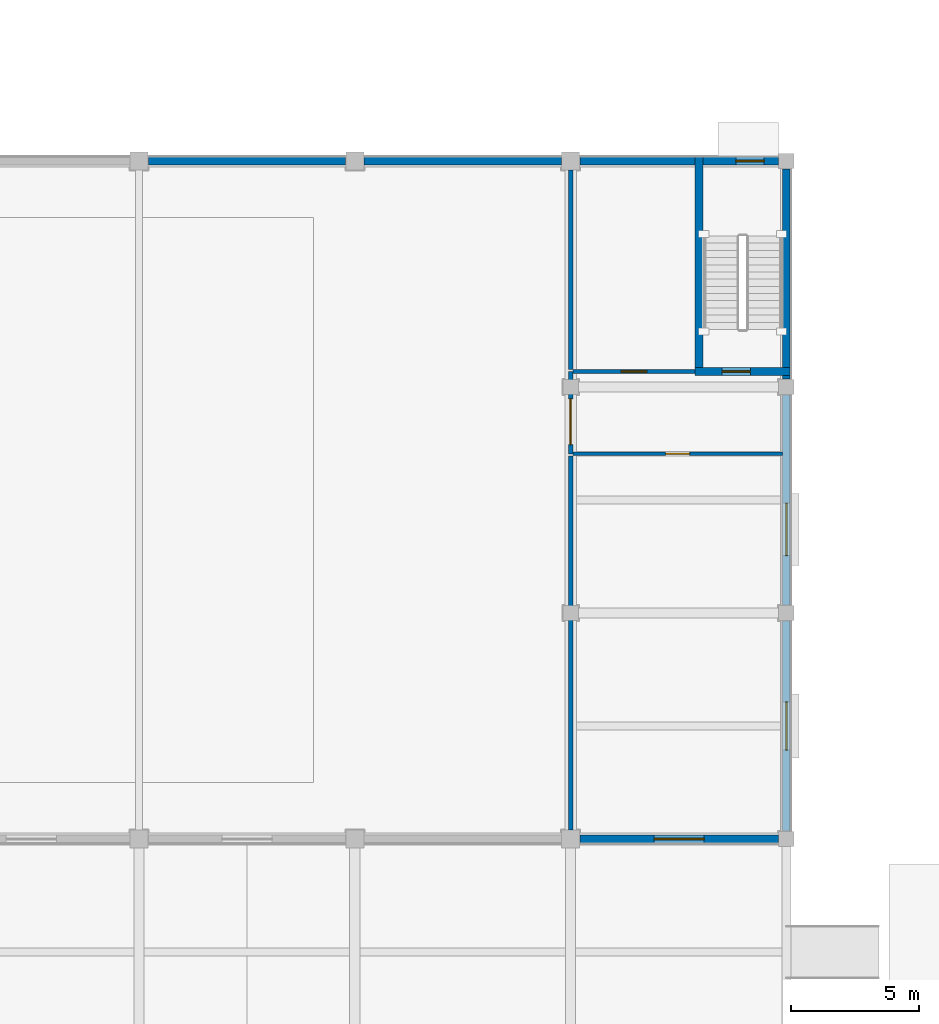
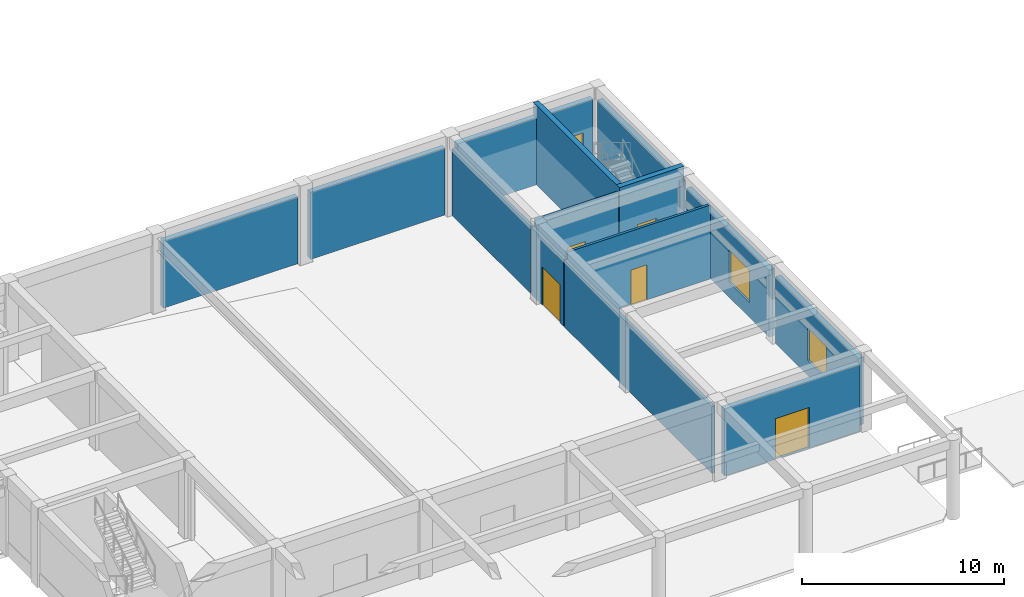
# One storey, part 34 of 58: 14 walls, 6 doors, 2 windows, 8 openings.
"""IFC4 building model written with IfcOpenShell, lengths in metres."""

from ifc_helpers import new_model, si_unit, direction, frame, frame_2d, origin, place, context, subcontext, project, spatial, rectangle, extrude, material, layer, layer_set, type_object, element, fill, save


model = new_model("IFC4")

# Units and contexts
model_context = context("Model", 3, precision=1e-05, world=origin(), true_north=direction((0.0, 1.0)))
body_context = subcontext(model_context, "Body", "Model", "MODEL_VIEW")
ifc_project = project(units=[si_unit("LENGTHUNIT", "METRE"), si_unit("AREAUNIT", "SQUARE_METRE"), si_unit("VOLUMEUNIT", "CUBIC_METRE"), si_unit("PLANEANGLEUNIT", "RADIAN"), si_unit("MASSUNIT", "GRAM", prefix="KILO")], contexts=[model_context])

# Site, building, storey
site_placement = place(None, origin())
site = spatial("IfcSite", under=ifc_project, at=site_placement, CompositionType="ELEMENT")
building_placement = place(site_placement, origin())
building = spatial("IfcBuilding", under=site, at=building_placement, Name="Kemercrest Conservatory and Botanical Centre", CompositionType="ELEMENT")
storey_placement = place(building_placement, origin())
storey = spatial("IfcBuildingStorey", under=building, at=storey_placement, Name="L00", CompositionType="ELEMENT", Elevation=0.0)

# Wall
ifc_material_1 = material(Name="Precast concrete C40/50", Category="concrete")
ifc_layer_1 = layer(ifc_material_1, 0.300048828125)
ifc_layer_set_1 = layer_set([ifc_layer_1], Name="Precast concrete C40/50")
wall_type_1 = type_object("IfcWallType", Name="CW-EXT300", PredefinedType="SHEAR", material=ifc_layer_set_1)
wall_1_placement = place(storey_placement, frame((100.39990234375, 34.7099609375, 0.0), z_axis=(0.0, 0.0, 1.0), x_axis=(0.0, 1.0, 0.0)))
element("IfcWall", 1, at=wall_1_placement, inside=storey, type_object=wall_type_1, Name="Exterior stair-core shear wall CW-EXT300 (WAL:L00:EXT-028)", PredefinedType="SHEAR", context=body_context, shape_type="SweptSolid", body=[
    extrude(rectangle(XDim=8.179931640625, YDim=0.300048828125, at=frame_2d((4.08984375, 0.0))), origin(), (0.0, 0.0, 1.0), 4.050048828125),
])

# Wall, opening, door
wall_2_placement = place(storey_placement, frame((100.090087890625, 43.199951171875, 0.0), z_axis=(0.0, 0.0, 1.0), x_axis=(-1.0, 0.0, 0.0)))
wall_2 = element("IfcWall", 2, at=wall_2_placement, inside=storey, type_object=wall_type_1, Name="Exterior stair-core shear wall CW-EXT300 (WAL:L00:EXT-029)", PredefinedType="SHEAR", context=body_context, shape_type="SweptSolid", body=[
    extrude(rectangle(XDim=7.72998046875, YDim=0.300048828125, at=frame_2d((3.864990234375, 0.0))), origin(), (0.0, 0.0, 1.0), 4.050048828125),
])
opening_1_placement = place(wall_2_placement, frame((0.550048828125, 0.0, 0.0)))
opening_1 = element("IfcOpeningElement", 3, at=opening_1_placement, cuts=wall_2, Name="Opening ED017", PredefinedType="OPENING", context=body_context, shape_type="SweptSolid", body=[
    extrude(rectangle(XDim=1.10009765625, YDim=2.199951171875, at=frame_2d((0.550048828125, 1.10009765625))), frame((0.0, 0.16015625, 0.0), z_axis=(0.0, -1.0, 0.0), x_axis=(1.0, 0.0, 0.0)), (0.0, 0.0, 1.0), 0.320068359375),
])
ifc_material_2 = material(Name="Thermally broken bronze-anodized aluminium and laminated safety glass", Category="aluminium")
door_type_1 = type_object("IfcDoorType", Name="DT-E03", OperationType="NOTDEFINED", PredefinedType="DOOR", material=ifc_material_2)
door_1_placement = place(opening_1_placement, frame((1.10009765625, 0.0, 0.0), z_axis=(0.0, 0.0, 1.0), x_axis=(-1.0, 0.0, 0.0)))
door_1 = element("IfcDoor", 4, at=door_1_placement, inside=storey, type_object=door_type_1, Name="Exit Stair ST-V2B Exterior Discharge Door", OperationType="SINGLE_SWING_RIGHT", OverallHeight=2.199951171875, OverallWidth=1.10009765625, PredefinedType="DOOR", context=body_context, shape_type="SweptSolid", body=[
    extrude(rectangle(XDim=1.10009765625, YDim=2.199951171875, at=frame_2d((0.550048828125, 1.10009765625))), frame((0.0, 0.02490234375, 0.0), z_axis=(0.0, -1.0, 0.0), x_axis=(1.0, 0.0, 0.0)), (0.0, 0.0, 1.0), 0.050048828125),
])
fill(opening_1, door_1)

ifc_material_3 = material(Name="Concrete C50/60", Category="concrete")
ifc_layer_2 = layer(ifc_material_3, 0.300048828125)
ifc_layer_set_2 = layer_set([ifc_layer_2], Name="Concrete C50/60")
wall_type_2 = type_object("IfcWallType", Name="CW-STAIR", PredefinedType="SHEAR", material=ifc_layer_set_2)
wall_3_placement = place(storey_placement, frame((96.85009765625, 35.0, 0.0), z_axis=(0.0, 0.0, 1.0), x_axis=(1.0, 0.0, 0.0)))
wall_3 = element("IfcWall", 5, at=wall_3_placement, inside=storey, type_object=wall_type_2, Name="Stair core ST-V2B shear wall S", PredefinedType="SHEAR", context=body_context, shape_type="SweptSolid", body=[
    extrude(rectangle(XDim=3.699951171875, YDim=0.300048828125, at=frame_2d((1.85009765625, 0.0))), origin(), (0.0, 0.0, 1.0), 4.800048828125),
])
opening_2_placement = place(wall_3_placement, frame((1.050048828125, 0.0, 0.0)))
opening_2 = element("IfcOpeningElement", 6, at=opening_2_placement, cuts=wall_3, Name="Opening D012", PredefinedType="OPENING", context=body_context, shape_type="SweptSolid", body=[
    extrude(rectangle(XDim=1.10009765625, YDim=2.199951171875, at=frame_2d((0.550048828125, 1.10009765625))), frame((0.0, 0.16015625, 0.0), z_axis=(0.0, -1.0, 0.0), x_axis=(1.0, 0.0, 0.0)), (0.0, 0.0, 1.0), 0.320068359375),
])
ifc_material_4 = material(Name="Powder-coated galvanized steel and fire-rated vision glass", Category="steel")
door_type_2 = type_object("IfcDoorType", Name="DT-FD90", OperationType="NOTDEFINED", PredefinedType="DOOR", material=ifc_material_4)
door_2_placement = place(opening_2_placement, origin())
door_2 = element("IfcDoor", 7, at=door_2_placement, inside=storey, type_object=door_type_2, Name="Exit stair ST-V2B fire door D012", OperationType="SINGLE_SWING_RIGHT", OverallHeight=2.199951171875, OverallWidth=1.10009765625, PredefinedType="DOOR", context=body_context, shape_type="SweptSolid", body=[
    extrude(rectangle(XDim=1.10009765625, YDim=2.199951171875, at=frame_2d((0.550048828125, 1.10009765625))), frame((0.0, 0.02490234375, 0.0), z_axis=(0.0, -1.0, 0.0), x_axis=(1.0, 0.0, 0.0)), (0.0, 0.0, 1.0), 0.050048828125),
])
fill(opening_2, door_2)

# Wall
wall_4_placement = place(storey_placement, frame((97.0, 34.85009765625, 0.0), z_axis=(0.0, 0.0, 1.0), x_axis=(0.0, 1.0, 0.0)))
element("IfcWall", 8, at=wall_4_placement, inside=storey, type_object=wall_type_2, Name="Stair core ST-V2B shear wall W", PredefinedType="SHEAR", context=body_context, shape_type="SweptSolid", body=[
    extrude(rectangle(XDim=8.5, YDim=0.300048828125, at=frame_2d((4.25, 0.0))), origin(), (0.0, 0.0, 1.0), 4.800048828125),
])

# Wall, opening, door
ifc_layer_3 = layer(ifc_material_1, 0.300048828125)
ifc_layer_set_3 = layer_set([ifc_layer_3], Name="Precast concrete C40/50")
wall_type_3 = type_object("IfcWallType", Name="W-EXT300", PredefinedType="SOLIDWALL", material=ifc_layer_set_3)
wall_5_placement = place(storey_placement, frame((92.360107421875, 16.800048828125, 0.0), z_axis=(0.0, 0.0, 1.0), x_axis=(1.0, 0.0, 0.0)))
wall_5 = element("IfcWall", 9, at=wall_5_placement, inside=storey, type_object=wall_type_3, Name="Exterior almasik wall W-EXT300 (WAL:L00:EXT-025)", PredefinedType="SOLIDWALL", context=body_context, shape_type="SweptSolid", body=[
    extrude(rectangle(XDim=7.72998046875, YDim=0.300048828125, at=frame_2d((3.864990234375, 0.0))), origin(), (0.0, 0.0, 1.0), 4.050048828125),
])
opening_3_placement = place(wall_5_placement, frame((2.889892578125, 0.0, 0.0)))
opening_3 = element("IfcOpeningElement", 10, at=opening_3_placement, cuts=wall_5, Name="Opening ED016", PredefinedType="OPENING", context=body_context, shape_type="SweptSolid", body=[
    extrude(rectangle(XDim=1.949951171875, YDim=2.449951171875, at=frame_2d((0.97509765625, 1.22509765625))), frame((0.0, 0.16015625, 0.0), z_axis=(0.0, -1.0, 0.0), x_axis=(1.0, 0.0, 0.0)), (0.0, 0.0, 1.0), 0.320068359375),
])
door_type_3 = type_object("IfcDoorType", Name="DT-E11", OperationType="DOUBLE_DOOR_SINGLE_SWING", PredefinedType="DOOR", material=ifc_material_2)
door_3_placement = place(opening_3_placement, frame((1.949951171875, 0.0, 0.0), z_axis=(0.0, 0.0, 1.0), x_axis=(-1.0, 0.0, 0.0)))
door_3 = element("IfcDoor", 11, at=door_3_placement, inside=storey, type_object=door_type_3, Name="Auditorium Harbour Foyer Main Entrance Door", OperationType="DOUBLE_DOOR_SINGLE_SWING", OverallHeight=2.449951171875, OverallWidth=1.949951171875, PredefinedType="DOOR", context=body_context, shape_type="SweptSolid", body=[
    extrude(rectangle(XDim=1.949951171875, YDim=2.449951171875, at=frame_2d((0.97509765625, 1.22509765625))), frame((0.0, 0.02490234375, 0.0), z_axis=(0.0, -1.0, 0.0), x_axis=(1.0, 0.0, 0.0)), (0.0, 0.0, 1.0), 0.050048828125),
])
fill(opening_3, door_3)

# Wall, opening, window
wall_6_placement = place(storey_placement, frame((100.39990234375, 17.110107421875, 0.0), z_axis=(0.0, 0.0, 1.0), x_axis=(0.0, 1.0, 0.0)))
wall_6 = element("IfcWall", 12, at=wall_6_placement, inside=storey, type_object=wall_type_3, Name="Exterior almasik wall W-EXT300 (WAL:L00:EXT-026)", PredefinedType="SOLIDWALL", context=body_context, shape_type="SweptSolid", body=[
    extrude(rectangle(XDim=8.179931640625, YDim=0.300048828125, at=frame_2d((4.08984375, 0.0))), origin(), (0.0, 0.0, 1.0), 4.050048828125),
])
opening_4_placement = place(wall_6_placement, frame((3.14990234375, 0.0, 0.89990234375)))
opening_4 = element("IfcOpeningElement", 13, at=opening_4_placement, cuts=wall_6, Name="Opening WT-33", PredefinedType="OPENING", context=body_context, shape_type="SweptSolid", body=[
    extrude(rectangle(XDim=1.8798828125, YDim=1.9599609375, at=frame_2d((0.93994140625, 0.97998046875))), frame((0.0, 0.16015625, 0.0), z_axis=(0.0, -1.0, 0.0), x_axis=(1.0, 0.0, 0.0)), (0.0, 0.0, 1.0), 0.320068359375),
])
ifc_material_5 = material(Name="Thermally broken bronze-anodized aluminium and triple glazing", Category="aluminium")
window_type_1 = type_object("IfcWindowType", Name="WT-33", PartitioningType="SINGLE_PANEL", PredefinedType="WINDOW", material=ifc_material_5)
window_1_placement = place(opening_4_placement, origin())
window_1 = element("IfcWindow", 14, at=window_1_placement, inside=storey, type_object=window_type_1, Name="Exterior window WT-33 (WIN:L00:EXT-026)", OverallHeight=1.9599609375, OverallWidth=1.8798828125, PartitioningType="SINGLE_PANEL", PredefinedType="WINDOW", context=body_context, shape_type="SweptSolid", body=[
    extrude(rectangle(XDim=1.8798828125, YDim=1.9599609375, at=frame_2d((0.93994140625, 0.97998046875))), frame((0.0, 0.030029296875, 0.0), z_axis=(0.0, -1.0, 0.0), x_axis=(1.0, 0.0, 0.0)), (0.0, 0.0, 1.0), 0.06005859375),
])
fill(opening_4, window_1)

wall_7_placement = place(storey_placement, frame((100.39990234375, 25.909912109375, 0.0), z_axis=(0.0, 0.0, 1.0), x_axis=(0.0, 1.0, 0.0)))
wall_7 = element("IfcWall", 15, at=wall_7_placement, inside=storey, type_object=wall_type_3, Name="Exterior almasik wall W-EXT300 (WAL:L00:EXT-027)", PredefinedType="SOLIDWALL", context=body_context, shape_type="SweptSolid", body=[
    extrude(rectangle(XDim=8.18017578125, YDim=0.300048828125, at=frame_2d((4.090087890625, 0.0))), origin(), (0.0, 0.0, 1.0), 4.050048828125),
])
opening_5_placement = place(wall_7_placement, frame((1.925048828125, 0.0, 0.89990234375)))
opening_5 = element("IfcOpeningElement", 16, at=opening_5_placement, cuts=wall_7, Name="Opening WT-34", PredefinedType="OPENING", context=body_context, shape_type="SweptSolid", body=[
    extrude(rectangle(XDim=2.0400390625, YDim=1.97998046875, at=frame_2d((1.02001953125, 0.989990234375))), frame((0.0, 0.16015625, 0.0), z_axis=(0.0, -1.0, 0.0), x_axis=(1.0, 0.0, 0.0)), (0.0, 0.0, 1.0), 0.320068359375),
])
window_type_2 = type_object("IfcWindowType", Name="WT-34", PartitioningType="SINGLE_PANEL", PredefinedType="WINDOW", material=ifc_material_5)
window_2_placement = place(opening_5_placement, origin())
window_2 = element("IfcWindow", 17, at=window_2_placement, inside=storey, type_object=window_type_2, Name="Exterior window WT-34 (WIN:L00:EXT-027)", OverallHeight=1.97998046875, OverallWidth=2.0400390625, PartitioningType="SINGLE_PANEL", PredefinedType="WINDOW", context=body_context, shape_type="SweptSolid", body=[
    extrude(rectangle(XDim=2.0400390625, YDim=1.97998046875, at=frame_2d((1.02001953125, 0.989990234375))), frame((0.0, 0.030029296875, 0.0), z_axis=(0.0, -1.0, 0.0), x_axis=(1.0, 0.0, 0.0)), (0.0, 0.0, 1.0), 0.06005859375),
])
fill(opening_5, window_2)

# Walls
for number, where, z_axis, x_axis, name in (
    (18, (91.639892578125, 43.199951171875, 0.0), (0.0, 0.0, 1.0), (-1.0, 0.0, 0.0), "Exterior almasik wall W-EXT300 (WAL:L00:EXT-030)"),
    (19, (83.239990234375, 43.199951171875, 0.0), (0.0, 0.0, 1.0), (-1.0, 0.0, 0.0), "Exterior almasik wall W-EXT300 (WAL:L00:EXT-031)"),
):
    element("IfcWall", number, at=place(storey_placement, frame(where, z_axis=z_axis, x_axis=x_axis)), inside=storey, type_object=wall_type_3, Name=name, PredefinedType="SOLIDWALL", context=body_context, shape_type="SweptSolid", body=[
        extrude(rectangle(XDim=7.679931640625, YDim=0.300048828125, at=frame_2d((3.83984375, 0.0))), origin(), (0.0, 0.0, 1.0), 4.050048828125),
    ])

# Wall, opening, door
ifc_material_6 = material(Name="Steel-stud gypsum board partition", Category="steel")
ifc_layer_4 = layer(ifc_material_6, 0.14990234375)
ifc_layer_set_4 = layer_set([ifc_layer_4], Name="Steel-stud gypsum board partition")
wall_type_4 = type_object("IfcWallType", Name="W-PART150", PredefinedType="PARTITIONING", material=ifc_layer_set_4)
wall_8_placement = place(storey_placement, frame((92.094970703125, 31.800048828125, 0.0), z_axis=(0.0, 0.0, 1.0), x_axis=(1.0, 0.0, 0.0)))
wall_8 = element("IfcWall", 20, at=wall_8_placement, inside=storey, type_object=wall_type_4, Name="Interior partition W-PART150 #24", PredefinedType="PARTITIONING", context=body_context, shape_type="SweptSolid", body=[
    extrude(rectangle(XDim=8.150146484375, YDim=0.14990234375, at=frame_2d((4.0751953125, 0.0))), origin(), (0.0, 0.0, 1.0), 4.465087890625),
])
opening_6_placement = place(wall_8_placement, frame((3.60498046875, 0.0, 0.0)))
opening_6 = element("IfcOpeningElement", 21, at=opening_6_placement, cuts=wall_8, Name="Opening D120", PredefinedType="OPENING", context=body_context, shape_type="SweptSolid", body=[
    extrude(rectangle(XDim=0.93994140625, YDim=2.1201171875, at=frame_2d((0.469970703125, 1.06005859375))), frame((0.0, 0.0849609375, 0.0), z_axis=(0.0, -1.0, 0.0), x_axis=(1.0, 0.0, 0.0)), (0.0, 0.0, 1.0), 0.169921875),
])
ifc_material_7 = material(Name="FSC solid-core white oak veneer and anodized aluminium frame", Category="aluminium")
door_type_4 = type_object("IfcDoorType", Name="DT-33", OperationType="NOTDEFINED", PredefinedType="DOOR", material=ifc_material_7)
door_4_placement = place(opening_6_placement, origin())
door_4 = element("IfcDoor", 22, at=door_4_placement, inside=storey, type_object=door_type_4, Name="Speakers Green Room door D120", OperationType="SINGLE_SWING_RIGHT", OverallHeight=2.1201171875, OverallWidth=0.93994140625, PredefinedType="DOOR", context=body_context, shape_type="SweptSolid", body=[
    extrude(rectangle(XDim=0.93994140625, YDim=2.1201171875, at=frame_2d((0.469970703125, 1.06005859375))), frame((0.0, 0.02490234375, 0.0), z_axis=(0.0, -1.0, 0.0), x_axis=(1.0, 0.0, 0.0)), (0.0, 0.0, 1.0), 0.050048828125),
])
fill(opening_6, door_4)

wall_9_placement = place(storey_placement, frame((92.094970703125, 35.0, 0.0), z_axis=(0.0, 0.0, 1.0), x_axis=(1.0, 0.0, 0.0)))
wall_9 = element("IfcWall", 23, at=wall_9_placement, inside=storey, type_object=wall_type_4, Name="Interior partition W-PART150 #25", PredefinedType="PARTITIONING", context=body_context, shape_type="SweptSolid", body=[
    extrude(rectangle(XDim=4.75, YDim=0.14990234375, at=frame_2d((2.375, 0.0))), origin(), (0.0, 0.0, 1.0), 4.465087890625),
])
opening_7_placement = place(wall_9_placement, frame((1.875, 0.0, 0.0)))
opening_7 = element("IfcOpeningElement", 24, at=opening_7_placement, cuts=wall_9, Name="Opening D121", PredefinedType="OPENING", context=body_context, shape_type="SweptSolid", body=[
    extrude(rectangle(XDim=1.0, YDim=2.159912109375, at=frame_2d((0.5, 1.080078125))), frame((0.0, 0.0849609375, 0.0), z_axis=(0.0, -1.0, 0.0), x_axis=(1.0, 0.0, 0.0)), (0.0, 0.0, 1.0), 0.169921875),
])
door_type_5 = type_object("IfcDoorType", Name="DT-34", OperationType="NOTDEFINED", PredefinedType="DOOR", material=ifc_material_7)
door_5_placement = place(opening_7_placement, origin())
door_5 = element("IfcDoor", 25, at=door_5_placement, inside=storey, type_object=door_type_5, Name="Backstage Technical Studio door D121", OperationType="SINGLE_SWING_LEFT", OverallHeight=2.159912109375, OverallWidth=1.0, PredefinedType="DOOR", context=body_context, shape_type="SweptSolid", body=[
    extrude(rectangle(XDim=1.0, YDim=2.159912109375, at=frame_2d((0.5, 1.080078125))), frame((0.0, 0.02490234375, 0.0), z_axis=(0.0, -1.0, 0.0), x_axis=(1.0, 0.0, 0.0)), (0.0, 0.0, 1.0), 0.050048828125),
])
fill(opening_7, door_5)

ifc_material_8 = material(Name="Acoustic steel-stud gypsum board assembly", Category="steel")
ifc_layer_5 = layer(ifc_material_8, 0.179931640625)
ifc_layer_set_5 = layer_set([ifc_layer_5], Name="Acoustic steel-stud gypsum board assembly")
wall_type_5 = type_object("IfcWallType", Name="W-PART180", PredefinedType="PARTITIONING", material=ifc_layer_set_5)
wall_10_placement = place(storey_placement, frame((92.0, 31.800048828125, 0.0), z_axis=(0.0, 0.0, 1.0), x_axis=(0.0, 1.0, 0.0)))
wall_10 = element("IfcWall", 26, at=wall_10_placement, inside=storey, type_object=wall_type_5, Name="Interior partition W-PART180 #23", PredefinedType="PARTITIONING", context=body_context, shape_type="SweptSolid", body=[
    extrude(rectangle(XDim=3.199951171875, YDim=0.179931640625, at=frame_2d((1.60009765625, 0.0))), origin(), (0.0, 0.0, 1.0), 4.044921875),
])
opening_8_placement = place(wall_10_placement, frame((0.360107421875, 0.0, 0.0)))
opening_8 = element("IfcOpeningElement", 27, at=opening_8_placement, cuts=wall_10, Name="Opening D119", PredefinedType="OPENING", context=body_context, shape_type="SweptSolid", body=[
    extrude(rectangle(XDim=1.780029296875, YDim=2.300048828125, at=frame_2d((0.89013671875, 1.14990234375))), frame((0.0, 0.10009765625, 0.0), z_axis=(0.0, -1.0, 0.0), x_axis=(1.0, 0.0, 0.0)), (0.0, 0.0, 1.0), 0.199951171875),
])
door_type_6 = type_object("IfcDoorType", Name="DT-12", OperationType="DOUBLE_DOOR_SINGLE_SWING", PredefinedType="DOOR", material=ifc_material_7)
door_6_placement = place(opening_8_placement, origin())
door_6 = element("IfcDoor", 28, at=door_6_placement, inside=storey, type_object=door_type_6, Name="Symposium Auditorium door D119", OperationType="DOUBLE_DOOR_SINGLE_SWING", OverallHeight=2.300048828125, OverallWidth=1.780029296875, PredefinedType="DOOR", context=body_context, shape_type="SweptSolid", body=[
    extrude(rectangle(XDim=1.780029296875, YDim=2.300048828125, at=frame_2d((0.89013671875, 1.14990234375))), frame((0.0, 0.02490234375, 0.0), z_axis=(0.0, -1.0, 0.0), x_axis=(1.0, 0.0, 0.0)), (0.0, 0.0, 1.0), 0.050048828125),
])
fill(opening_8, door_6)

# Walls
wall_11_placement = place(storey_placement, frame((92.0, 17.14990234375, 0.0), z_axis=(0.0, 0.0, 1.0), x_axis=(0.0, 1.0, 0.0)))
element("IfcWall", 29, at=wall_11_placement, inside=storey, type_object=wall_type_5, Name="Interior partition W-PART180 #51", PredefinedType="PARTITIONING", context=body_context, shape_type="SweptSolid", body=[
    extrude(rectangle(XDim=14.570068359375, YDim=0.179931640625, at=frame_2d((7.28515625, 0.0))), origin(), (0.0, 0.0, 1.0), 4.044921875),
])
wall_12_placement = place(storey_placement, frame((92.0, 35.080078125, 0.0), z_axis=(0.0, 0.0, 1.0), x_axis=(0.0, 1.0, 0.0)))
element("IfcWall", 30, at=wall_12_placement, inside=storey, type_object=wall_type_5, Name="Interior partition W-PART180 #52", PredefinedType="PARTITIONING", context=body_context, shape_type="SweptSolid", body=[
    extrude(rectangle(XDim=7.77001953125, YDim=0.179931640625, at=frame_2d((3.885009765625, 0.0))), origin(), (0.0, 0.0, 1.0), 4.044921875),
])

save(model, "model.ifc")
